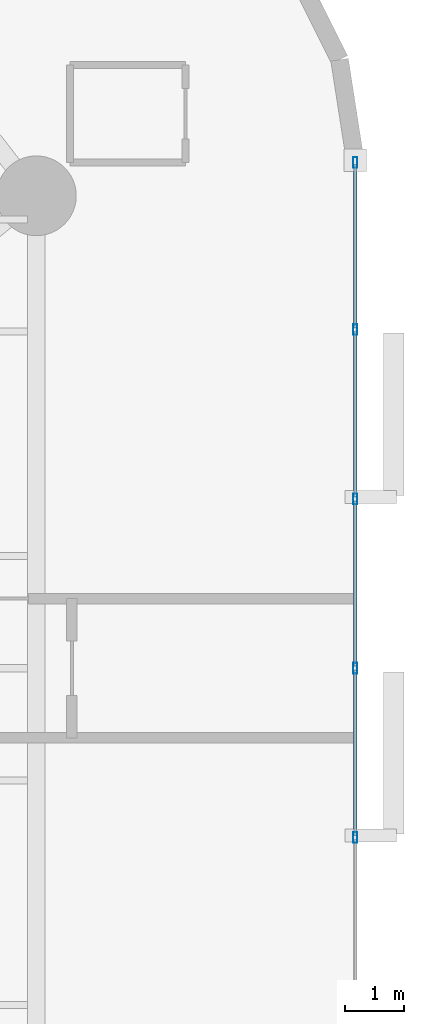
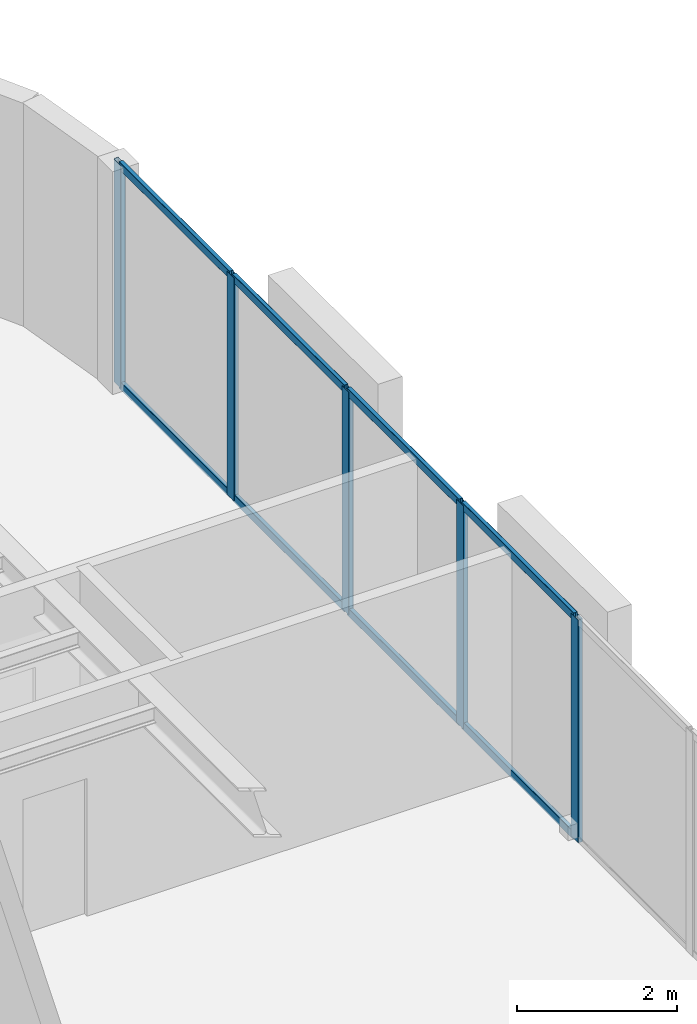
# One storey, part 6 of 16: 13 members, 1 element without a shape of its own.
"""IFC4 building model written with IfcOpenShell, lengths in metres."""

from ifc_helpers import new_model, si_unit, direction, frame, origin, origin_2d, place, context, subcontext, project, spatial, hollow_rectangle, extrude, material, layer, layer_set, material_profile, profile_set, type_object, element, aggregate, save


model = new_model("IFC4")

# Units and contexts
model_context = context("Model", 3, precision=1e-05, world=origin(), true_north=direction((0.0, 1.0)))
body_context = subcontext(model_context, "Body", "Model", "MODEL_VIEW")
ifc_project = project(units=[si_unit("LENGTHUNIT", "METRE"), si_unit("AREAUNIT", "SQUARE_METRE"), si_unit("VOLUMEUNIT", "CUBIC_METRE"), si_unit("PLANEANGLEUNIT", "RADIAN"), si_unit("MASSUNIT", "GRAM", prefix="KILO")], contexts=[model_context])

# Site, building, storey
site_placement = place(None, origin())
site = spatial("IfcSite", under=ifc_project, at=site_placement, CompositionType="ELEMENT")
building_placement = place(site_placement, origin())
building = spatial("IfcBuilding", under=site, at=building_placement, Name="An Khanh Terracotta Commons", CompositionType="ELEMENT")
storey_placement = place(building_placement, frame((0.0, 0.0, 89.89990234375)))
storey = spatial("IfcBuildingStorey", under=building, at=storey_placement, Name="L23", CompositionType="ELEMENT", Elevation=89.89990234375)

# Curtain wall, members
ifc_material = material(Name="Anodised Aluminium 6063-T6", Category="aluminium")
ifc_layer = layer(ifc_material, 0.199951171875, Name="Anodised Aluminium 6063-T6")
ifc_layer_set = layer_set([ifc_layer], Name="Anodised Aluminium 6063-T6")
curtain_wall_type = type_object("IfcCurtainWallType", Name="CW-SYS-02", PredefinedType="USERDEFINED", material=ifc_layer_set)
curtain_wall_placement = place(storey_placement, origin())
curtain_wall = element("IfcCurtainWall", 1, at=curtain_wall_placement, inside=storey, type_object=curtain_wall_type, Name="L23 CW-02 Unitised Curtain Wall CW-L23-12", ObjectType="UNITISED CURTAIN WALL", PredefinedType="USERDEFINED")
ifc_material_profile_1 = material_profile(ifc_material, hollow_rectangle(XDim=0.070068359375, YDim=0.179931640625, WallThickness=0.00390625, InnerFilletRadius=0.00390625, OuterFilletRadius=0.008056640625, at=origin_2d()), Name="RHS180x70x4")
ifc_profile_set_1 = profile_set([ifc_material_profile_1], Name="Anodised Aluminium 6063-T6")
member_type_1 = type_object("IfcMemberType", Name="CWM-RHS180x70x4", PredefinedType="MULLION", material=ifc_profile_set_1)
member_1_placement = place(storey_placement, frame((57.39990234375, 21.13330078125, 0.0), z_axis=(0.0, 0.0, 1.0), x_axis=(-1.0, 0.0, 0.0)))
member_1 = element("IfcMember", 2, at=member_1_placement, type_object=member_type_1, Name="CW-02 mullion 3", PredefinedType="MULLION", context=body_context, shape_type="SweptSolid", body=[
    extrude(hollow_rectangle(XDim=0.070068359375, YDim=0.179931640625, WallThickness=0.00390625, InnerFilletRadius=0.00390625, OuterFilletRadius=0.008056640625, at=origin_2d()), origin(), (0.0, 0.0, 1.0), 3.400146484375),
])
member_2_placement = place(storey_placement, frame((57.39990234375, 24.0, 0.0), z_axis=(0.0, 0.0, 1.0), x_axis=(-1.0, 0.0, 0.0)))
member_2 = element("IfcMember", 3, at=member_2_placement, type_object=member_type_1, Name="CW-02 mullion 4", PredefinedType="MULLION", context=body_context, shape_type="SweptSolid", body=[
    extrude(hollow_rectangle(XDim=0.070068359375, YDim=0.179931640625, WallThickness=0.00390625, InnerFilletRadius=0.00390625, OuterFilletRadius=0.008056640625, at=origin_2d()), origin(), (0.0, 0.0, 1.0), 3.400146484375),
])
member_3_placement = place(storey_placement, frame((57.39990234375, 26.86669921875, 0.0), z_axis=(0.0, 0.0, 1.0), x_axis=(-1.0, 0.0, 0.0)))
member_3 = element("IfcMember", 4, at=member_3_placement, type_object=member_type_1, Name="CW-02 mullion 5", PredefinedType="MULLION", context=body_context, shape_type="SweptSolid", body=[
    extrude(hollow_rectangle(XDim=0.070068359375, YDim=0.179931640625, WallThickness=0.00390625, InnerFilletRadius=0.00390625, OuterFilletRadius=0.008056640625, at=origin_2d()), origin(), (0.0, 0.0, 1.0), 3.400146484375),
])
member_4_placement = place(storey_placement, frame((57.39990234375, 29.7333984375, 0.0), z_axis=(0.0, 0.0, 1.0), x_axis=(-1.0, 0.0, 0.0)))
member_4 = element("IfcMember", 5, at=member_4_placement, type_object=member_type_1, Name="CW-02 mullion 6", PredefinedType="MULLION", context=body_context, shape_type="SweptSolid", body=[
    extrude(hollow_rectangle(XDim=0.070068359375, YDim=0.179931640625, WallThickness=0.00390625, InnerFilletRadius=0.00390625, OuterFilletRadius=0.008056640625, at=origin_2d()), origin(), (0.0, 0.0, 1.0), 3.400146484375),
])
member_5_placement = place(storey_placement, frame((57.39990234375, 32.56494140625, 0.0), z_axis=(0.0, 0.0, 1.0), x_axis=(-1.0, 0.0, 0.0)))
member_5 = element("IfcMember", 6, at=member_5_placement, type_object=member_type_1, Name="CW-02 mullion 7", PredefinedType="MULLION", context=body_context, shape_type="SweptSolid", body=[
    extrude(hollow_rectangle(XDim=0.070068359375, YDim=0.179931640625, WallThickness=0.00390625, InnerFilletRadius=0.00390625, OuterFilletRadius=0.008056640625, at=origin_2d()), origin(), (0.0, 0.0, 1.0), 3.400146484375),
])
ifc_material_profile_2 = material_profile(ifc_material, hollow_rectangle(XDim=0.06005859375, YDim=0.1201171875, WallThickness=0.003662109375, InnerFilletRadius=0.003662109375, OuterFilletRadius=0.007080078125, at=origin_2d()), Name="RHS120x60x3.6")
ifc_profile_set_2 = profile_set([ifc_material_profile_2], Name="Anodised Aluminium 6063-T6")
member_type_2 = type_object("IfcMemberType", Name="CWT-RHS120x60x3.6", PredefinedType="USERDEFINED", material=ifc_profile_set_2)
member_6_placement = place(storey_placement, frame((57.39990234375, 21.168212890625, 0.030029296875), z_axis=(0.0, 1.0, 0.0), x_axis=(-1.0, 0.0, 0.0)))
member_6 = element("IfcMember", 7, at=member_6_placement, type_object=member_type_2, Name="CW-02 transom 3.1", ObjectType="TRANSOM", PredefinedType="USERDEFINED", context=body_context, shape_type="SweptSolid", body=[
    extrude(hollow_rectangle(XDim=0.06005859375, YDim=0.1201171875, WallThickness=0.003662109375, InnerFilletRadius=0.003662109375, OuterFilletRadius=0.007080078125, at=origin_2d()), origin(), (0.0, 0.0, 1.0), 2.796875),
])
member_7_placement = place(storey_placement, frame((57.39990234375, 21.168212890625, 3.3701171875), z_axis=(0.0, 1.0, 0.0), x_axis=(-1.0, 0.0, 0.0)))
member_7 = element("IfcMember", 8, at=member_7_placement, type_object=member_type_2, Name="CW-02 transom 3.2", ObjectType="TRANSOM", PredefinedType="USERDEFINED", context=body_context, shape_type="SweptSolid", body=[
    extrude(hollow_rectangle(XDim=0.06005859375, YDim=0.1201171875, WallThickness=0.003662109375, InnerFilletRadius=0.003662109375, OuterFilletRadius=0.007080078125, at=origin_2d()), origin(), (0.0, 0.0, 1.0), 2.796875),
])
member_8_placement = place(storey_placement, frame((57.39990234375, 24.034912109375, 0.030029296875), z_axis=(0.0, 1.0, 0.0), x_axis=(-1.0, 0.0, 0.0)))
member_8 = element("IfcMember", 9, at=member_8_placement, type_object=member_type_2, Name="CW-02 transom 4.1", ObjectType="TRANSOM", PredefinedType="USERDEFINED", context=body_context, shape_type="SweptSolid", body=[
    extrude(hollow_rectangle(XDim=0.06005859375, YDim=0.1201171875, WallThickness=0.003662109375, InnerFilletRadius=0.003662109375, OuterFilletRadius=0.007080078125, at=origin_2d()), origin(), (0.0, 0.0, 1.0), 2.796875),
])
member_9_placement = place(storey_placement, frame((57.39990234375, 24.034912109375, 3.3701171875), z_axis=(0.0, 1.0, 0.0), x_axis=(-1.0, 0.0, 0.0)))
member_9 = element("IfcMember", 10, at=member_9_placement, type_object=member_type_2, Name="CW-02 transom 4.2", ObjectType="TRANSOM", PredefinedType="USERDEFINED", context=body_context, shape_type="SweptSolid", body=[
    extrude(hollow_rectangle(XDim=0.06005859375, YDim=0.1201171875, WallThickness=0.003662109375, InnerFilletRadius=0.003662109375, OuterFilletRadius=0.007080078125, at=origin_2d()), origin(), (0.0, 0.0, 1.0), 2.796875),
])
member_10_placement = place(storey_placement, frame((57.39990234375, 26.901611328125, 0.030029296875), z_axis=(0.0, 1.0, 0.0), x_axis=(-1.0, 0.0, 0.0)))
member_10 = element("IfcMember", 11, at=member_10_placement, type_object=member_type_2, Name="CW-02 transom 5.1", ObjectType="TRANSOM", PredefinedType="USERDEFINED", context=body_context, shape_type="SweptSolid", body=[
    extrude(hollow_rectangle(XDim=0.06005859375, YDim=0.1201171875, WallThickness=0.003662109375, InnerFilletRadius=0.003662109375, OuterFilletRadius=0.007080078125, at=origin_2d()), origin(), (0.0, 0.0, 1.0), 2.796630859375),
])
member_11_placement = place(storey_placement, frame((57.39990234375, 26.901611328125, 3.3701171875), z_axis=(0.0, 1.0, 0.0), x_axis=(-1.0, 0.0, 0.0)))
member_11 = element("IfcMember", 12, at=member_11_placement, type_object=member_type_2, Name="CW-02 transom 5.2", ObjectType="TRANSOM", PredefinedType="USERDEFINED", context=body_context, shape_type="SweptSolid", body=[
    extrude(hollow_rectangle(XDim=0.06005859375, YDim=0.1201171875, WallThickness=0.003662109375, InnerFilletRadius=0.003662109375, OuterFilletRadius=0.007080078125, at=origin_2d()), origin(), (0.0, 0.0, 1.0), 2.796630859375),
])
member_12_placement = place(storey_placement, frame((57.39990234375, 29.768310546875, 0.030029296875), z_axis=(0.0, 1.0, 0.0), x_axis=(-1.0, 0.0, 0.0)))
member_12 = element("IfcMember", 13, at=member_12_placement, type_object=member_type_2, Name="CW-02 transom 6.1", ObjectType="TRANSOM", PredefinedType="USERDEFINED", context=body_context, shape_type="SweptSolid", body=[
    extrude(hollow_rectangle(XDim=0.06005859375, YDim=0.1201171875, WallThickness=0.003662109375, InnerFilletRadius=0.003662109375, OuterFilletRadius=0.007080078125, at=origin_2d()), origin(), (0.0, 0.0, 1.0), 2.76171875),
])
member_13_placement = place(storey_placement, frame((57.39990234375, 29.768310546875, 3.3701171875), z_axis=(0.0, 1.0, 0.0), x_axis=(-1.0, 0.0, 0.0)))
member_13 = element("IfcMember", 14, at=member_13_placement, type_object=member_type_2, Name="CW-02 transom 6.2", ObjectType="TRANSOM", PredefinedType="USERDEFINED", context=body_context, shape_type="SweptSolid", body=[
    extrude(hollow_rectangle(XDim=0.06005859375, YDim=0.1201171875, WallThickness=0.003662109375, InnerFilletRadius=0.003662109375, OuterFilletRadius=0.007080078125, at=origin_2d()), origin(), (0.0, 0.0, 1.0), 2.76171875),
])
aggregate(curtain_wall, [member_1, member_2, member_3, member_4, member_5, member_6, member_7, member_8, member_9, member_10, member_11, member_12, member_13])

save(model, "model.ifc")
